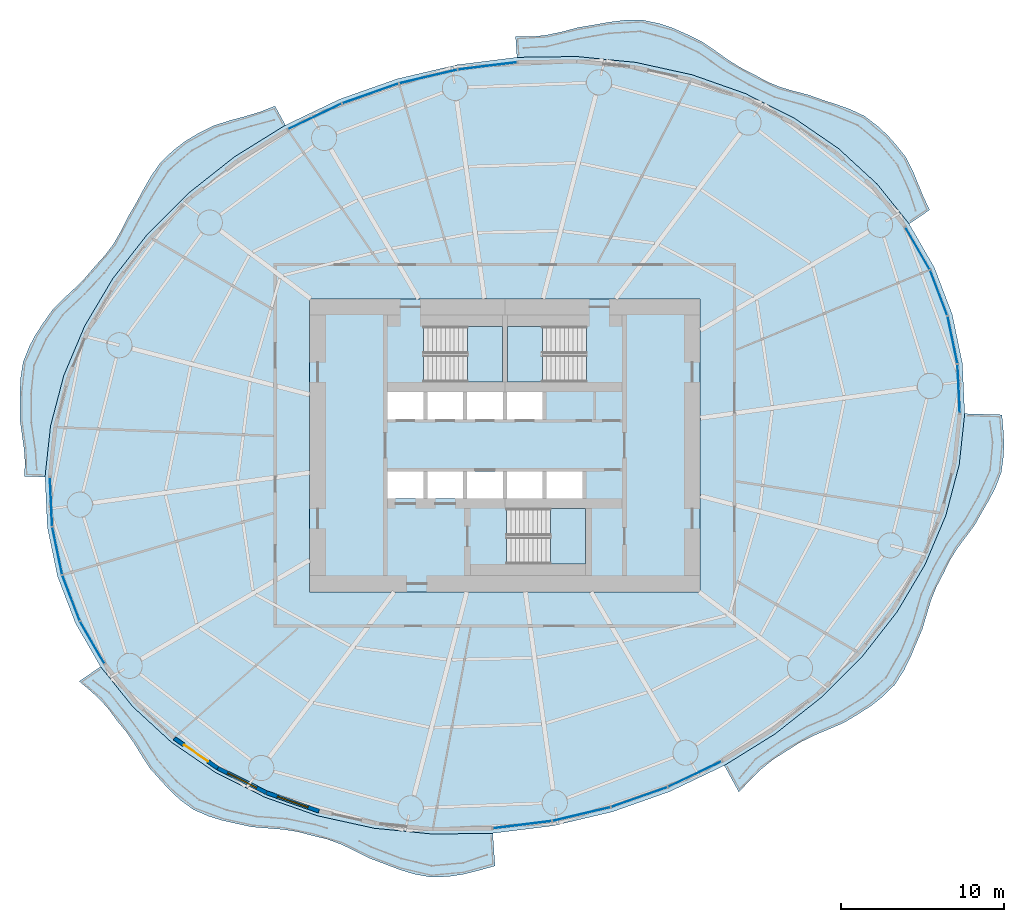
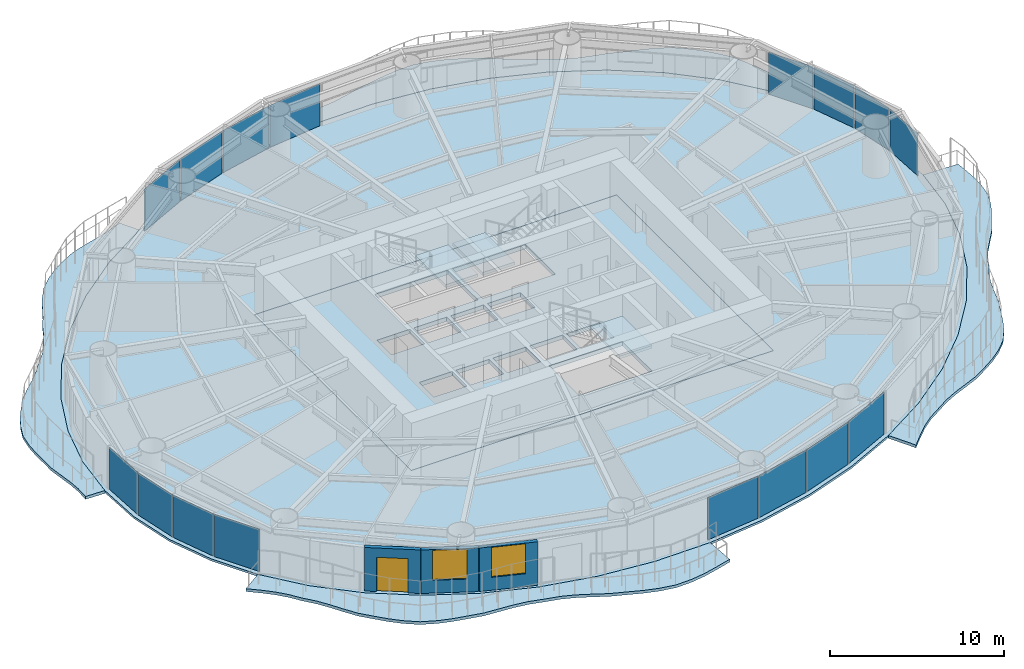
# One storey, part 6 of 16: 16 plates, 9 slabs, 3 walls, 2 windows, 1 door, 3 openings, 19 elements without a shape of their own.
"""IFC4 building model written with IfcOpenShell, lengths in metres."""

from ifc_helpers import new_model, si_unit, direction, frame, frame_2d, origin, origin_2d, place, context, subcontext, project, spatial, polyline, rectangle, outline, extrude, material, layer, layer_set, type_object, element, fill, aggregate, save


model = new_model("IFC4")

# Units and contexts
model_context = context("Model", 3, precision=1e-05, world=origin(), true_north=direction((0.0, 1.0)))
body_context = subcontext(model_context, "Body", "Model", "MODEL_VIEW")
ifc_project = project(units=[si_unit("LENGTHUNIT", "METRE"), si_unit("AREAUNIT", "SQUARE_METRE"), si_unit("VOLUMEUNIT", "CUBIC_METRE"), si_unit("PLANEANGLEUNIT", "RADIAN"), si_unit("MASSUNIT", "GRAM", prefix="KILO")], contexts=[model_context])

# Site, building, storey
site_placement = place(None, origin())
site = spatial("IfcSite", under=ifc_project, at=site_placement, CompositionType="ELEMENT")
building_placement = place(site_placement, origin())
building = spatial("IfcBuilding", under=site, at=building_placement, Name="Vermilion Reach Broadcast Tower", CompositionType="ELEMENT")
storey_placement = place(building_placement, frame((0.0, 0.0, 99.39990234375)))
storey = spatial("IfcBuildingStorey", under=building, at=storey_placement, Name="L22", CompositionType="ELEMENT", Elevation=99.39990234375)

# Slabs
ifc_material_1 = material(Name="Concrete C40/50", Category="concrete")
ifc_layer_1 = layer(ifc_material_1, 0.199951171875)
ifc_layer_set_1 = layer_set([ifc_layer_1], Name="Balcony slab 200")
slab_type_1 = type_object("IfcSlabType", Name="Balcony slab 200", PredefinedType="FLOOR", material=ifc_layer_set_1)
placement_1 = place(storey_placement, frame((0.0, 0.0, -0.199951171875)))
element("IfcSlab", 1, at=placement_1, inside=storey, type_object=slab_type_1, Name="Balcony slab L22 group 1", PredefinedType="FLOOR", context=body_context, shape_type="SweptSolid", body=[
    extrude(outline(polyline([(18.832763671875, 13.59765625), (16.861083984375, 16.048095703125), (14.498046875, 18.22412109375), (11.784423828125, 20.088134765625), (8.766357421875, 21.6083984375), (5.495849609375, 22.759033203125), (2.028564453125, 23.520263671875), (-1.576171875, 23.879150390625), (-5.256591796875, 23.829345703125), (-5.343994140625, 25.105224609375), (-4.353271484375, 25.096923828125), (-3.4345703125, 25.1982421875), (-2.516845703125, 25.395751953125), (-1.499755859375, 25.661865234375), (-0.471435546875, 25.835205078125), (0.455322265625, 26.00244140625), (1.376708984375, 26.11376953125), (2.4423828125, 26.123291015625), (3.4619140625, 25.910400390625), (4.30908203125, 25.63037109375), (5.13720703125, 25.263671875), (6.078857421875, 24.80859375), (6.93212890625, 24.22998046875), (7.666748046875, 23.7060546875), (8.4169921875, 23.22705078125), (9.2705078125, 22.79248046875), (10.083740234375, 22.345703125), (10.86572265625, 22.02001953125), (11.686279296875, 21.77099609375), (12.637451171875, 21.52978515625), (13.546875, 21.200439453125), (14.36572265625, 20.938720703125), (15.169189453125, 20.65478515625), (16.091064453125, 20.22216796875), (16.875, 19.619873046875), (17.46875, 19.0791015625), (18.005615234375, 18.476806640625), (18.624267578125, 17.69775390625), (19.0703125, 16.816650390625), (19.380859375, 16.05712890625), (19.689453125, 15.29638671875), (20.091796875, 14.45947265625), (18.832763671875, 13.59765625)])), origin(), (0.0, 0.0, 1.0), 0.199951171875),
])
element("IfcSlab", 2, at=placement_1, inside=storey, type_object=slab_type_1, Name="Balcony slab L22 group 2", PredefinedType="FLOOR", context=body_context, shape_type="SweptSolid", body=[
    extrude(outline(polyline([(-19.478759765625, 19.6650390625), (-22.604736328125, 17.721923828125), (-25.446533203125, 15.4755859375), (-27.955810546875, 12.964599609375), (-30.089111328125, 10.231689453125), (-31.810546875, 7.323486328125), (-33.09033203125, 4.290283203125), (-33.906494140625, 1.18359375), (-34.2451171875, -1.943359375), (-35.503662109375, -1.905029296875), (-35.47802734375, -1.01904296875), (-35.53515625, -0.221923828125), (-35.64794921875, 0.581298828125), (-35.778564453125, 1.52880859375), (-35.7734375, 2.50439453125), (-35.78173828125, 3.336669921875), (-35.74169921875, 4.156494140625), (-35.585693359375, 5.1396484375), (-35.20751953125, 6.076904296875), (-34.820556640625, 6.806884765625), (-34.3603515625, 7.505859375), (-33.78662109375, 8.319580078125), (-33.0634765625, 9.046875), (-32.415771484375, 9.645263671875), (-31.79638671875, 10.260498046875), (-31.187744140625, 10.98095703125), (-30.543701171875, 11.68603515625), (-30.02978515625, 12.38427734375), (-29.590576171875, 13.14111328125), (-29.153076171875, 14.02294921875), (-28.63671875, 14.8994140625), (-28.19970703125, 15.717529296875), (-27.7451171875, 16.517822265625), (-27.141845703125, 17.38037109375), (-26.3740234375, 18.109375), (-25.65673828125, 18.662353515625), (-24.87451171875, 19.13330078125), (-23.93603515625, 19.61669921875), (-22.90478515625, 19.947998046875), (-21.976318359375, 20.197021484375), (-21.062744140625, 20.470458984375), (-20.122802734375, 20.840576171875), (-19.478759765625, 19.6650390625)])), origin(), (0.0, 0.0, 1.0), 0.199951171875),
])
element("IfcSlab", 3, at=placement_1, inside=storey, type_object=slab_type_1, Name="Balcony slab L22 group 3", PredefinedType="FLOOR", context=body_context, shape_type="SweptSolid", body=[
    extrude(outline(polyline([(-30.832763671875, -13.59765625), (-28.861083984375, -16.048095703125), (-26.498046875, -18.22412109375), (-23.784423828125, -20.088134765625), (-20.766357421875, -21.6083984375), (-17.495849609375, -22.759033203125), (-14.028564453125, -23.520263671875), (-10.423828125, -23.879150390625), (-6.743408203125, -23.829345703125), (-6.60595703125, -25.83837890625), (-7.6328125, -26.119873046875), (-8.550048828125, -26.347900390625), (-9.46826171875, -26.4892578125), (-10.537353515625, -26.525634765625), (-11.578369140625, -26.335205078125), (-12.461669921875, -26.06640625), (-13.338623046875, -25.731689453125), (-14.32080078125, -25.3583984375), (-15.239013671875, -24.8955078125), (-16.062255859375, -24.506103515625), (-16.90283203125, -24.196533203125), (-17.83984375, -23.9677734375), (-18.75537109375, -23.727783203125), (-19.6279296875, -23.595703125), (-20.521484375, -23.52392578125), (-21.546142578125, -23.43994140625), (-22.52685546875, -23.22509765625), (-23.376220703125, -23.033447265625), (-24.19580078125, -22.7822265625), (-25.136474609375, -22.37353515625), (-25.94384765625, -21.778076171875), (-26.554931640625, -21.21435546875), (-27.126708984375, -20.593017578125), (-27.79443359375, -19.85009765625), (-28.32861328125, -19.026611328125), (-28.763916015625, -18.313720703125), (-29.22802734375, -17.63232421875), (-29.80712890625, -16.933349609375), (-30.327880859375, -16.21923828125), (-30.8515625, -15.63134765625), (-31.435546875, -15.092041015625), (-32.145751953125, -14.49658203125), (-30.832763671875, -13.59765625)])), origin(), (0.0, 0.0, 1.0), 0.199951171875),
])
element("IfcSlab", 4, at=placement_1, inside=storey, type_object=slab_type_1, Name="Balcony slab L22 group 4", PredefinedType="FLOOR", context=body_context, shape_type="SweptSolid", body=[
    extrude(outline(polyline([(7.478759765625, -19.6650390625), (10.604736328125, -17.721923828125), (13.446533203125, -15.4755859375), (15.955810546875, -12.964599609375), (18.089111328125, -10.231689453125), (19.810546875, -7.323486328125), (21.09033203125, -4.290283203125), (21.906494140625, -1.18359375), (22.2451171875, 1.943359375), (24.5302734375, 1.87353515625), (24.614013671875, 0.89599609375), (24.656982421875, 0.100341796875), (24.624755859375, -0.68701171875), (24.490478515625, -1.66015625), (24.130615234375, -2.59814453125), (23.75439453125, -3.32958984375), (23.333251953125, -4.04931640625), (22.85986328125, -4.892578125), (22.268310546875, -5.6806640625), (21.7666015625, -6.362060546875), (21.326171875, -7.069580078125), (20.929443359375, -7.887451171875), (20.493896484375, -8.709716796875), (20.17724609375, -9.504150390625), (19.921142578125, -10.334228515625), (19.640869140625, -11.2900390625), (19.239990234375, -12.2294921875), (18.892578125, -13.05810546875), (18.498291015625, -13.849609375), (17.9375, -14.716552734375), (17.19091796875, -15.453369140625), (16.48681640625, -16.00439453125), (15.72265625, -16.495361328125), (14.83251953125, -17.03271484375), (13.85595703125, -17.4541015625), (12.989013671875, -17.817626953125), (12.15966796875, -18.22900390625), (11.330810546875, -18.75537109375), (10.4921875, -19.2841796875), (9.771240234375, -19.867431640625), (9.09814453125, -20.52734375), (8.369140625, -21.2900390625), (7.478759765625, -19.6650390625)])), origin(), (0.0, 0.0, 1.0), 0.199951171875),
])
ifc_material_2 = material(Name="Concrete C40", Category="concrete")
ifc_layer_2 = layer(ifc_material_2, 0.300048828125)
ifc_layer_set_2 = layer_set([ifc_layer_2], Name="Core floor slab 300 mm Concrete C40")
slab_type_2 = type_object("IfcSlabType", Name="Core floor slab 300 mm Concrete C40", PredefinedType="FLOOR", material=ifc_layer_set_2)
slab_5_placement = place(storey_placement, frame((0.0, 0.0, -0.2998046875)))
element("IfcSlab", 5, at=slab_5_placement, inside=storey, type_object=slab_type_2, Name="L22 core floor", PredefinedType="FLOOR", context=body_context, shape_type="SweptSolid", body=[
    extrude(outline(polyline([(-18.0, -9.0), (6.0, -9.0), (6.0, 9.0), (-18.0, 9.0), (-18.0, -9.0)]), holes=[polyline([(-13.199951171875, 1.60009765625), (-11.00830078125, 1.60009765625), (-11.00830078125, 3.280029296875), (-13.199951171875, 3.280029296875), (-13.199951171875, 1.60009765625)]), polyline([(-10.75830078125, 1.60009765625), (-8.566650390625, 1.60009765625), (-8.566650390625, 3.280029296875), (-10.75830078125, 3.280029296875), (-10.75830078125, 1.60009765625)]), polyline([(-8.316650390625, 1.60009765625), (-6.125, 1.60009765625), (-6.125, 3.280029296875), (-8.316650390625, 3.280029296875), (-8.316650390625, 1.60009765625)]), polyline([(-5.875, 1.60009765625), (-3.683349609375, 1.60009765625), (-3.683349609375, 3.280029296875), (-5.875, 3.280029296875), (-5.875, 1.60009765625)]), polyline([(-13.199951171875, -3.280029296875), (-11.00830078125, -3.280029296875), (-11.00830078125, -1.60009765625), (-13.199951171875, -1.60009765625), (-13.199951171875, -3.280029296875)]), polyline([(-10.75830078125, -3.280029296875), (-8.566650390625, -3.280029296875), (-8.566650390625, -1.60009765625), (-10.75830078125, -1.60009765625), (-10.75830078125, -3.280029296875)]), polyline([(-8.316650390625, -3.280029296875), (-6.125, -3.280029296875), (-6.125, -1.60009765625), (-8.316650390625, -1.60009765625), (-8.316650390625, -3.280029296875)]), polyline([(-5.875, -3.280029296875), (-3.683349609375, -3.280029296875), (-3.683349609375, -1.60009765625), (-5.875, -1.60009765625), (-5.875, -3.280029296875)]), polyline([(-3.433349609375, -3.280029296875), (-1.24169921875, -3.280029296875), (-1.24169921875, -1.60009765625), (-3.433349609375, -1.60009765625), (-3.433349609375, -3.280029296875)]), polyline([(-10.999267578125, 3.8798828125), (-6.14990234375, 3.8798828125), (-6.14990234375, 7.300048828125), (-10.999267578125, 7.300048828125), (-10.999267578125, 3.8798828125)]), polyline([(-1.000732421875, 7.300048828125), (-5.85009765625, 7.300048828125), (-5.85009765625, 3.8798828125), (-1.000732421875, 3.8798828125), (-1.000732421875, 7.300048828125)]), polyline([(-5.8994140625, -7.300048828125), (-1.050048828125, -7.300048828125), (-1.050048828125, -3.8798828125), (-5.8994140625, -3.8798828125), (-5.8994140625, -7.300048828125)])]), origin(), (0.0, 0.0, 1.0), 0.2998046875),
])

# Stair, slab
ifc_material_3 = material(Name="Concrete C40", Category="concrete")
stair_type = type_object("IfcStairType", Name="Exit stair RC 22 risers 164 mm", PredefinedType="HALF_TURN_STAIR", material=ifc_material_3)
placement_2 = place(storey_placement, origin())
stair_1 = element("IfcStair", 6, at=placement_2, inside=storey, type_object=stair_type, Name="L22 Exit stair ST1", PredefinedType="HALF_TURN_STAIR")
ifc_material_4 = material(Name="Concrete C40", Category="concrete")
ifc_layer_3 = layer(ifc_material_4, 0.199951171875)
ifc_layer_set_3 = layer_set([ifc_layer_3], Name="Exit stair landing Concrete C40")
slab_type_3 = type_object("IfcSlabType", Name="Exit stair landing Concrete C40", PredefinedType="LANDING", material=ifc_layer_set_3)
placement_3 = place(storey_placement, frame((0.0, 0.0, 1.60009765625)))
slab_6 = element("IfcSlab", 7, at=placement_3, type_object=slab_type_3, Name="ST1 landing 1", PredefinedType="LANDING", context=body_context, shape_type="SweptSolid", body=[
    extrude(outline(polyline([(-8.300048828125, 3.8798828125), (-6.14990234375, 3.8798828125), (-6.14990234375, 7.300048828125), (-8.300048828125, 7.300048828125), (-8.300048828125, 3.8798828125)])), origin(), (0.0, 0.0, 1.0), 0.199951171875),
])
aggregate(stair_1, [slab_6])

stair_2 = element("IfcStair", 8, at=placement_2, inside=storey, type_object=stair_type, Name="L22 Exit stair ST2", PredefinedType="HALF_TURN_STAIR")
slab_7 = element("IfcSlab", 9, at=placement_3, type_object=slab_type_3, Name="ST2 landing 1", PredefinedType="LANDING", context=body_context, shape_type="SweptSolid", body=[
    extrude(outline(polyline([(-3.699951171875, 7.300048828125), (-5.85009765625, 7.300048828125), (-5.85009765625, 3.8798828125), (-3.699951171875, 3.8798828125), (-3.699951171875, 7.300048828125)])), origin(), (0.0, 0.0, 1.0), 0.199951171875),
])
aggregate(stair_2, [slab_7])

stair_3 = element("IfcStair", 10, at=placement_2, inside=storey, type_object=stair_type, Name="L22 Exit stair ST3", PredefinedType="HALF_TURN_STAIR")
slab_8 = element("IfcSlab", 11, at=placement_3, type_object=slab_type_3, Name="ST3 landing 1", PredefinedType="LANDING", context=body_context, shape_type="SweptSolid", body=[
    extrude(outline(polyline([(-3.199951171875, -7.300048828125), (-1.050048828125, -7.300048828125), (-1.050048828125, -3.8798828125), (-3.199951171875, -3.8798828125), (-3.199951171875, -7.300048828125)])), origin(), (0.0, 0.0, 1.0), 0.199951171875),
])
aggregate(stair_3, [slab_8])

# Slab
ifc_material_5 = material(Name="Concrete C40", Category="concrete")
ifc_layer_4 = layer(ifc_material_5, 0.14990234375)
ifc_layer_set_4 = layer_set([ifc_layer_4], Name="Floor slab Concrete C40 composite 150")
slab_type_4 = type_object("IfcSlabType", Name="Floor slab Concrete C40 composite 150", PredefinedType="FLOOR", material=ifc_layer_set_4)
slab_9_placement = place(storey_placement, frame((0.0, 0.0, -0.14990234375)))
element("IfcSlab", 12, at=slab_9_placement, inside=storey, type_object=slab_type_4, Name="Floor slab L22", PredefinedType="FLOOR", context=body_context, shape_type="SweptSolid", body=[
    extrude(outline(polyline([(21.47509765625, 8.044677734375), (20.379638671875, 10.91455078125), (18.832763671875, 13.59765625), (16.861083984375, 16.048095703125), (14.498046875, 18.22412109375), (11.784423828125, 20.088134765625), (8.766357421875, 21.6083984375), (5.495849609375, 22.759033203125), (2.028564453125, 23.520263671875), (-1.576171875, 23.879150390625), (-5.256591796875, 23.829345703125), (-8.949462890625, 23.371826171875), (-12.59228515625, 22.514404296875), (-16.1220703125, 21.271728515625), (-19.478759765625, 19.6650390625), (-22.604736328125, 17.721923828125), (-25.446533203125, 15.4755859375), (-27.955810546875, 12.964599609375), (-30.089111328125, 10.231689453125), (-31.810546875, 7.323486328125), (-33.09033203125, 4.290283203125), (-33.906494140625, 1.18359375), (-34.2451171875, -1.943359375), (-34.1005859375, -5.037109375), (-33.47509765625, -8.044677734375), (-32.379638671875, -10.91455078125), (-30.832763671875, -13.59765625), (-28.861083984375, -16.048095703125), (-26.498046875, -18.22412109375), (-23.784423828125, -20.088134765625), (-20.766357421875, -21.6083984375), (-17.495849609375, -22.759033203125), (-14.028564453125, -23.520263671875), (-10.423828125, -23.879150390625), (-6.743408203125, -23.829345703125), (-3.050537109375, -23.371826171875), (0.59228515625, -22.514404296875), (4.1220703125, -21.271728515625), (7.478759765625, -19.6650390625), (10.604736328125, -17.721923828125), (13.446533203125, -15.4755859375), (15.955810546875, -12.964599609375), (18.089111328125, -10.231689453125), (19.810546875, -7.323486328125), (21.09033203125, -4.290283203125), (21.906494140625, -1.18359375), (22.2451171875, 1.943359375), (22.1005859375, 5.037109375), (21.47509765625, 8.044677734375)]), holes=[polyline([(-18.0, -9.0), (6.0, -9.0), (6.0, 9.0), (-18.0, 9.0), (-18.0, -9.0)])]), origin(), (0.0, 0.0, 1.0), 0.14990234375),
])

# Curtain wall, plate
ifc_material_6 = material(Name="Low-e laminated clear glass in aluminium frame", Category="aluminium")
curtain_wall_type = type_object("IfcCurtainWallType", Name="Slot curtain wall", PredefinedType="NOTDEFINED", material=ifc_material_6)
curtain_wall_1 = element("IfcCurtainWall", 13, at=placement_2, inside=storey, type_object=curtain_wall_type, Name="Slot curtain wall L22 46", PredefinedType="NOTDEFINED")
ifc_material_7 = material(Name="Low-e laminated clear glass", Category="glass")
ifc_layer_5 = layer(ifc_material_7, 0.028076171875)
ifc_layer_set_5 = layer_set([ifc_layer_5], Name="Slot glass panel")
plate_type = type_object("IfcPlateType", Name="Slot glass panel", PredefinedType="CURTAIN_PANEL", material=ifc_layer_set_5)
plate_1_placement = place(storey_placement, frame((21.8740234375, 3.476318359375, 0.0), z_axis=(0.0, 0.0, 1.0), x_axis=(-0.04667871548, 0.998909954661, 0.0)))
plate_1 = element("IfcPlate", 14, at=plate_1_placement, type_object=plate_type, Name="Slot glass panel L22 46", PredefinedType="CURTAIN_PANEL", context=body_context, shape_type="SweptSolid", body=[
    extrude(rectangle(XDim=2.97021484375, YDim=0.028076171875, at=origin_2d()), origin(), (0.0, 0.0, 1.0), 2.949951171875),
])
aggregate(curtain_wall_1, [plate_1])

curtain_wall_2 = element("IfcCurtainWall", 15, at=placement_2, inside=storey, type_object=curtain_wall_type, Name="Slot curtain wall L22 47", PredefinedType="NOTDEFINED")
plate_2_placement = place(storey_placement, frame((21.4951171875, 6.47998046875, 0.0), z_axis=(0.0, 0.0, 1.0), x_axis=(-0.203586772854, 0.979056906374, 0.0)))
plate_2 = element("IfcPlate", 16, at=plate_2_placement, type_object=plate_type, Name="Slot glass panel L22 47", PredefinedType="CURTAIN_PANEL", context=body_context, shape_type="SweptSolid", body=[
    extrude(rectangle(XDim=2.944091796875, YDim=0.028076171875, at=origin_2d()), origin(), (0.0, 0.0, 1.0), 2.949951171875),
])
aggregate(curtain_wall_2, [plate_2])

curtain_wall_3 = element("IfcCurtainWall", 17, at=placement_2, inside=storey, type_object=curtain_wall_type, Name="Slot curtain wall L22 00", PredefinedType="NOTDEFINED")
plate_3_placement = place(storey_placement, frame((20.64794921875, 9.373046875, 0.0), z_axis=(0.0, 0.0, 1.0), x_axis=(-0.356627452042, 0.934246680728, 0.0)))
plate_3 = element("IfcPlate", 18, at=plate_3_placement, type_object=plate_type, Name="Slot glass panel L22 00", PredefinedType="CURTAIN_PANEL", context=body_context, shape_type="SweptSolid", body=[
    extrude(rectangle(XDim=2.944091796875, YDim=0.028076171875, at=origin_2d()), origin(), (0.0, 0.0, 1.0), 2.949951171875),
])
aggregate(curtain_wall_3, [plate_3])

curtain_wall_4 = element("IfcCurtainWall", 19, at=placement_2, inside=storey, type_object=curtain_wall_type, Name="Slot curtain wall L22 01", PredefinedType="NOTDEFINED")
plate_4_placement = place(storey_placement, frame((19.346923828125, 12.10693359375, 0.0), z_axis=(0.0, 0.0, 1.0), x_axis=(-0.499463799674, 0.86633475794, 0.0)))
plate_4 = element("IfcPlate", 20, at=plate_4_placement, type_object=plate_type, Name="Slot glass panel L22 01", PredefinedType="CURTAIN_PANEL", context=body_context, shape_type="SweptSolid", body=[
    extrude(rectangle(XDim=2.97021484375, YDim=0.028076171875, at=origin_2d()), origin(), (0.0, 0.0, 1.0), 2.949951171875),
])
aggregate(curtain_wall_4, [plate_4])

curtain_wall_5 = element("IfcCurtainWall", 21, at=placement_2, inside=storey, type_object=curtain_wall_type, Name="Slot curtain wall L22 10", PredefinedType="NOTDEFINED")
plate_5_placement = place(storey_placement, frame((-7.066162109375, 23.30322265625, 0.0), z_axis=(0.0, 0.0, 1.0), x_axis=(-0.99241273278, -0.122951078952, 0.0)))
plate_5 = element("IfcPlate", 22, at=plate_5_placement, type_object=plate_type, Name="Slot glass panel L22 10", PredefinedType="CURTAIN_PANEL", context=body_context, shape_type="SweptSolid", body=[
    extrude(rectangle(XDim=3.608642578125, YDim=0.028076171875, at=origin_2d()), origin(), (0.0, 0.0, 1.0), 2.949951171875),
])
aggregate(curtain_wall_5, [plate_5])

curtain_wall_6 = element("IfcCurtainWall", 23, at=placement_2, inside=storey, type_object=curtain_wall_type, Name="Slot curtain wall L22 11", PredefinedType="NOTDEFINED")
plate_6_placement = place(storey_placement, frame((-10.7021484375, 22.6513671875, 0.0), z_axis=(0.0, 0.0, 1.0), x_axis=(-0.973396512778, -0.229127102089, 0.0)))
plate_6 = element("IfcPlate", 24, at=plate_6_placement, type_object=plate_type, Name="Slot glass panel L22 11", PredefinedType="CURTAIN_PANEL", context=body_context, shape_type="SweptSolid", body=[
    extrude(rectangle(XDim=3.6298828125, YDim=0.028076171875, at=origin_2d()), origin(), (0.0, 0.0, 1.0), 2.949951171875),
])
aggregate(curtain_wall_6, [plate_6])

curtain_wall_7 = element("IfcCurtainWall", 25, at=placement_2, inside=storey, type_object=curtain_wall_type, Name="Slot curtain wall L22 12", PredefinedType="NOTDEFINED")
plate_7_placement = place(storey_placement, frame((-14.257568359375, 21.6103515625, 0.0), z_axis=(0.0, 0.0, 1.0), x_axis=(-0.943255604454, -0.332067560394, 0.0)))
plate_7 = element("IfcPlate", 26, at=plate_7_placement, type_object=plate_type, Name="Slot glass panel L22 12", PredefinedType="CURTAIN_PANEL", context=body_context, shape_type="SweptSolid", body=[
    extrude(rectangle(XDim=3.6298828125, YDim=0.028076171875, at=origin_2d()), origin(), (0.0, 0.0, 1.0), 2.949951171875),
])
aggregate(curtain_wall_7, [plate_7])

curtain_wall_8 = element("IfcCurtainWall", 27, at=placement_2, inside=storey, type_object=curtain_wall_type, Name="Slot curtain wall L22 13", PredefinedType="NOTDEFINED")
plate_8_placement = place(storey_placement, frame((-17.6708984375, 20.1982421875, 0.0), z_axis=(0.0, 0.0, 1.0), x_axis=(-0.902001812786, -0.431732243099, 0.0)))
plate_8 = element("IfcPlate", 28, at=plate_8_placement, type_object=plate_type, Name="Slot glass panel L22 13", PredefinedType="CURTAIN_PANEL", context=body_context, shape_type="SweptSolid", body=[
    extrude(rectangle(XDim=3.608642578125, YDim=0.028076171875, at=origin_2d()), origin(), (0.0, 0.0, 1.0), 2.949951171875),
])
aggregate(curtain_wall_8, [plate_8])

curtain_wall_9 = element("IfcCurtainWall", 29, at=placement_2, inside=storey, type_object=curtain_wall_type, Name="Slot curtain wall L22 22", PredefinedType="NOTDEFINED")
plate_9_placement = place(storey_placement, frame((-33.8740234375, -3.476318359375, 0.0), z_axis=(0.0, 0.0, 1.0), x_axis=(0.04667871548, -0.998909954661, 0.0)))
plate_9 = element("IfcPlate", 30, at=plate_9_placement, type_object=plate_type, Name="Slot glass panel L22 22", PredefinedType="CURTAIN_PANEL", context=body_context, shape_type="SweptSolid", body=[
    extrude(rectangle(XDim=2.97021484375, YDim=0.028076171875, at=origin_2d()), origin(), (0.0, 0.0, 1.0), 2.949951171875),
])
aggregate(curtain_wall_9, [plate_9])

curtain_wall_10 = element("IfcCurtainWall", 31, at=placement_2, inside=storey, type_object=curtain_wall_type, Name="Slot curtain wall L22 23", PredefinedType="NOTDEFINED")
plate_10_placement = place(storey_placement, frame((-33.4951171875, -6.47998046875, 0.0), z_axis=(0.0, 0.0, 1.0), x_axis=(0.203586772854, -0.979056906374, 0.0)))
plate_10 = element("IfcPlate", 32, at=plate_10_placement, type_object=plate_type, Name="Slot glass panel L22 23", PredefinedType="CURTAIN_PANEL", context=body_context, shape_type="SweptSolid", body=[
    extrude(rectangle(XDim=2.944091796875, YDim=0.028076171875, at=origin_2d()), origin(), (0.0, 0.0, 1.0), 2.949951171875),
])
aggregate(curtain_wall_10, [plate_10])

curtain_wall_11 = element("IfcCurtainWall", 33, at=placement_2, inside=storey, type_object=curtain_wall_type, Name="Slot curtain wall L22 24", PredefinedType="NOTDEFINED")
plate_11_placement = place(storey_placement, frame((-32.64794921875, -9.373046875, 0.0), z_axis=(0.0, 0.0, 1.0), x_axis=(0.356627452042, -0.934246680728, 0.0)))
plate_11 = element("IfcPlate", 34, at=plate_11_placement, type_object=plate_type, Name="Slot glass panel L22 24", PredefinedType="CURTAIN_PANEL", context=body_context, shape_type="SweptSolid", body=[
    extrude(rectangle(XDim=2.944091796875, YDim=0.028076171875, at=origin_2d()), origin(), (0.0, 0.0, 1.0), 2.949951171875),
])
aggregate(curtain_wall_11, [plate_11])

curtain_wall_12 = element("IfcCurtainWall", 35, at=placement_2, inside=storey, type_object=curtain_wall_type, Name="Slot curtain wall L22 25", PredefinedType="NOTDEFINED")
plate_12_placement = place(storey_placement, frame((-31.346923828125, -12.10693359375, 0.0), z_axis=(0.0, 0.0, 1.0), x_axis=(0.499463799674, -0.86633475794, 0.0)))
plate_12 = element("IfcPlate", 36, at=plate_12_placement, type_object=plate_type, Name="Slot glass panel L22 25", PredefinedType="CURTAIN_PANEL", context=body_context, shape_type="SweptSolid", body=[
    extrude(rectangle(XDim=2.97021484375, YDim=0.028076171875, at=origin_2d()), origin(), (0.0, 0.0, 1.0), 2.949951171875),
])
aggregate(curtain_wall_12, [plate_12])

curtain_wall_13 = element("IfcCurtainWall", 37, at=placement_2, inside=storey, type_object=curtain_wall_type, Name="Slot curtain wall L22 34", PredefinedType="NOTDEFINED")
plate_13_placement = place(storey_placement, frame((-4.933837890625, -23.30322265625, 0.0), z_axis=(0.0, 0.0, 1.0), x_axis=(0.99241273278, 0.122951078952, 0.0)))
plate_13 = element("IfcPlate", 38, at=plate_13_placement, type_object=plate_type, Name="Slot glass panel L22 34", PredefinedType="CURTAIN_PANEL", context=body_context, shape_type="SweptSolid", body=[
    extrude(rectangle(XDim=3.608642578125, YDim=0.028076171875, at=origin_2d()), origin(), (0.0, 0.0, 1.0), 2.949951171875),
])
aggregate(curtain_wall_13, [plate_13])

curtain_wall_14 = element("IfcCurtainWall", 39, at=placement_2, inside=storey, type_object=curtain_wall_type, Name="Slot curtain wall L22 35", PredefinedType="NOTDEFINED")
plate_14_placement = place(storey_placement, frame((-1.2978515625, -22.6513671875, 0.0), z_axis=(0.0, 0.0, 1.0), x_axis=(0.973396512778, 0.229127102089, 0.0)))
plate_14 = element("IfcPlate", 40, at=plate_14_placement, type_object=plate_type, Name="Slot glass panel L22 35", PredefinedType="CURTAIN_PANEL", context=body_context, shape_type="SweptSolid", body=[
    extrude(rectangle(XDim=3.6298828125, YDim=0.028076171875, at=origin_2d()), origin(), (0.0, 0.0, 1.0), 2.949951171875),
])
aggregate(curtain_wall_14, [plate_14])

curtain_wall_15 = element("IfcCurtainWall", 41, at=placement_2, inside=storey, type_object=curtain_wall_type, Name="Slot curtain wall L22 36", PredefinedType="NOTDEFINED")
plate_15_placement = place(storey_placement, frame((2.257568359375, -21.6103515625, 0.0), z_axis=(0.0, 0.0, 1.0), x_axis=(0.943255604454, 0.332067560394, 0.0)))
plate_15 = element("IfcPlate", 42, at=plate_15_placement, type_object=plate_type, Name="Slot glass panel L22 36", PredefinedType="CURTAIN_PANEL", context=body_context, shape_type="SweptSolid", body=[
    extrude(rectangle(XDim=3.6298828125, YDim=0.028076171875, at=origin_2d()), origin(), (0.0, 0.0, 1.0), 2.949951171875),
])
aggregate(curtain_wall_15, [plate_15])

curtain_wall_16 = element("IfcCurtainWall", 43, at=placement_2, inside=storey, type_object=curtain_wall_type, Name="Slot curtain wall L22 37", PredefinedType="NOTDEFINED")
plate_16_placement = place(storey_placement, frame((5.6708984375, -20.1982421875, 0.0), z_axis=(0.0, 0.0, 1.0), x_axis=(0.902001812786, 0.431732243099, 0.0)))
plate_16 = element("IfcPlate", 44, at=plate_16_placement, type_object=plate_type, Name="Slot glass panel L22 37", PredefinedType="CURTAIN_PANEL", context=body_context, shape_type="SweptSolid", body=[
    extrude(rectangle(XDim=3.608642578125, YDim=0.028076171875, at=origin_2d()), origin(), (0.0, 0.0, 1.0), 2.949951171875),
])
aggregate(curtain_wall_16, [plate_16])

# Wall, opening, door
ifc_material_8 = material(Name="Terracotta rainscreen cladding", Category="masonry")
ifc_layer_6 = layer(ifc_material_8, 0.25)
ifc_layer_set_6 = layer_set([ifc_layer_6], Name="Terracotta rainscreen wall 250")
wall_type = type_object("IfcWallType", Name="Terracotta rainscreen wall 250", PredefinedType="SOLIDWALL", material=ifc_layer_set_6)
wall_1_placement = place(storey_placement, frame((-26.300537109375, -17.99658203125, 0.0), z_axis=(0.0, 0.0, 1.0), x_axis=(0.824260519644, -0.566210734405, 0.0)))
wall_1 = element("IfcWall", 45, at=wall_1_placement, inside=storey, type_object=wall_type, Name="External wall L22 28", PredefinedType="SOLIDWALL", context=body_context, shape_type="SweptSolid", body=[
    extrude(rectangle(XDim=3.225341796875, YDim=0.25, at=frame_2d((1.61279296875, 0.0))), origin(), (0.0, 0.0, 1.0), 3.050048828125),
])
opening_1_placement = place(wall_1_placement, frame((0.712890625, 0.0, 0.0)))
opening_1 = element("IfcOpeningElement", 46, at=opening_1_placement, cuts=wall_1, Name="Opening D70", PredefinedType="OPENING", context=body_context, shape_type="SweptSolid", body=[
    extrude(rectangle(XDim=1.800048828125, YDim=2.39990234375, at=frame_2d((0.89990234375, 1.199951171875))), frame((0.0, 0.135009765625, 0.0), z_axis=(0.0, -1.0, 0.0), x_axis=(1.0, 0.0, 0.0)), (0.0, 0.0, 1.0), 0.27001953125),
])
ifc_material_9 = material(Name="Low-e laminated clear glass in aluminium frame", Category="aluminium")
door_type = type_object("IfcDoorType", Name="Balcony sliding door 1800 x 2400", OperationType="DOUBLE_DOOR_SLIDING", PredefinedType="DOOR", material=ifc_material_9)
door_placement = place(opening_1_placement, origin())
door = element("IfcDoor", 47, at=door_placement, inside=storey, type_object=door_type, Name="Balcony door L22 run 07", OperationType="DOUBLE_DOOR_SLIDING", OverallHeight=2.39990234375, OverallWidth=1.800048828125, PredefinedType="DOOR", context=body_context, shape_type="SweptSolid", body=[
    extrude(rectangle(XDim=1.800048828125, YDim=2.39990234375, at=frame_2d((0.89990234375, 1.199951171875))), frame((0.0, 0.02490234375, 0.0), z_axis=(0.0, -1.0, 0.0), x_axis=(1.0, 0.0, 0.0)), (0.0, 0.0, 1.0), 0.050048828125),
])
fill(opening_1, door)

# Wall, opening, window
wall_2_placement = place(storey_placement, frame((-23.620849609375, -19.83544921875, 0.0), z_axis=(0.0, 0.0, 1.0), x_axis=(0.893097754404, -0.449862646904, 0.0)))
wall_2 = element("IfcWall", 48, at=wall_2_placement, inside=storey, type_object=wall_type, Name="External wall L22 29", PredefinedType="SOLIDWALL", context=body_context, shape_type="SweptSolid", body=[
    extrude(rectangle(XDim=3.3154296875, YDim=0.25, at=frame_2d((1.65771484375, 0.0))), origin(), (0.0, 0.0, 1.0), 3.050048828125),
])
opening_2_placement = place(wall_2_placement, frame((0.65771484375, 0.0, 0.89990234375)))
opening_2 = element("IfcOpeningElement", 49, at=opening_2_placement, cuts=wall_2, Name="Opening W03", PredefinedType="OPENING", context=body_context, shape_type="SweptSolid", body=[
    extrude(rectangle(XDim=2.0, YDim=2.10009765625, at=frame_2d((1.0, 1.050048828125))), frame((0.0, 0.135009765625, 0.0), z_axis=(0.0, -1.0, 0.0), x_axis=(1.0, 0.0, 0.0)), (0.0, 0.0, 1.0), 0.27001953125),
])
ifc_material_10 = material(Name="Low-e laminated clear glass in aluminium frame", Category="aluminium")
window_type = type_object("IfcWindowType", Name="Punched window 2000 x 2100 sill 900", PartitioningType="SINGLE_PANEL", PredefinedType="WINDOW", material=ifc_material_10)
window_1_placement = place(opening_2_placement, origin())
window_1 = element("IfcWindow", 50, at=window_1_placement, inside=storey, type_object=window_type, Name="Window L22 29", OverallHeight=2.10009765625, OverallWidth=2.0, PartitioningType="SINGLE_PANEL", PredefinedType="WINDOW", context=body_context, shape_type="SweptSolid", body=[
    extrude(rectangle(XDim=2.0, YDim=2.10009765625, at=frame_2d((1.0, 1.050048828125))), frame((0.0, 0.030029296875, 0.0), z_axis=(0.0, -1.0, 0.0), x_axis=(1.0, 0.0, 0.0)), (0.0, 0.0, 1.0), 0.06005859375),
])
fill(opening_2, window_1)

wall_3_placement = place(storey_placement, frame((-20.637939453125, -21.33642578125, 0.0), z_axis=(0.0, 0.0, 1.0), x_axis=(0.94334314228, -0.331818799819, 0.0)))
wall_3 = element("IfcWall", 51, at=wall_3_placement, inside=storey, type_object=wall_type, Name="External wall L22 30", PredefinedType="SOLIDWALL", context=body_context, shape_type="SweptSolid", body=[
    extrude(rectangle(XDim=3.40576171875, YDim=0.25, at=frame_2d((1.702880859375, 0.0))), origin(), (0.0, 0.0, 1.0), 3.050048828125),
])
opening_3_placement = place(wall_3_placement, frame((0.702880859375, 0.0, 0.89990234375)))
opening_3 = element("IfcOpeningElement", 52, at=opening_3_placement, cuts=wall_3, Name="Opening W03", PredefinedType="OPENING", context=body_context, shape_type="SweptSolid", body=[
    extrude(rectangle(XDim=2.0, YDim=2.10009765625, at=frame_2d((1.0, 1.050048828125))), frame((0.0, 0.135009765625, 0.0), z_axis=(0.0, -1.0, 0.0), x_axis=(1.0, 0.0, 0.0)), (0.0, 0.0, 1.0), 0.27001953125),
])
window_2_placement = place(opening_3_placement, origin())
window_2 = element("IfcWindow", 53, at=window_2_placement, inside=storey, type_object=window_type, Name="Window L22 30", OverallHeight=2.10009765625, OverallWidth=2.0, PartitioningType="SINGLE_PANEL", PredefinedType="WINDOW", context=body_context, shape_type="SweptSolid", body=[
    extrude(rectangle(XDim=2.0, YDim=2.10009765625, at=frame_2d((1.0, 1.050048828125))), frame((0.0, 0.030029296875, 0.0), z_axis=(0.0, -1.0, 0.0), x_axis=(1.0, 0.0, 0.0)), (0.0, 0.0, 1.0), 0.06005859375),
])
fill(opening_3, window_2)

save(model, "model.ifc")
